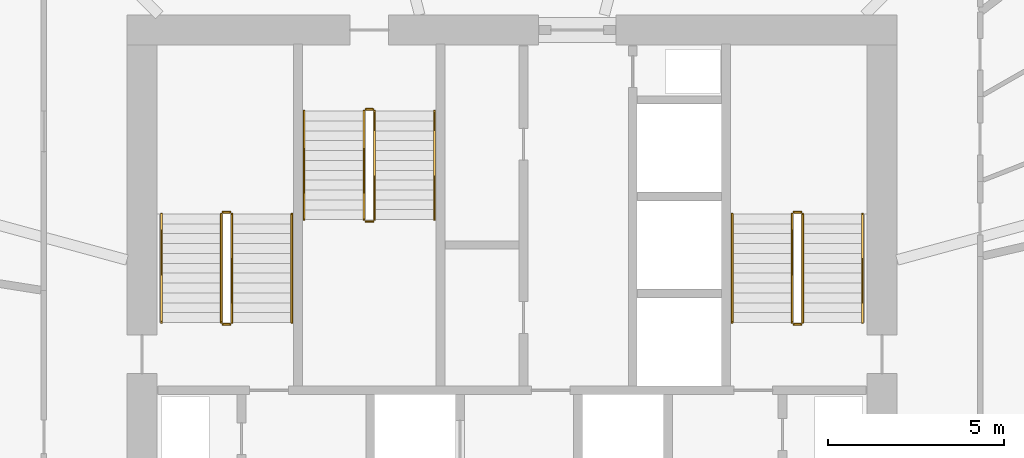
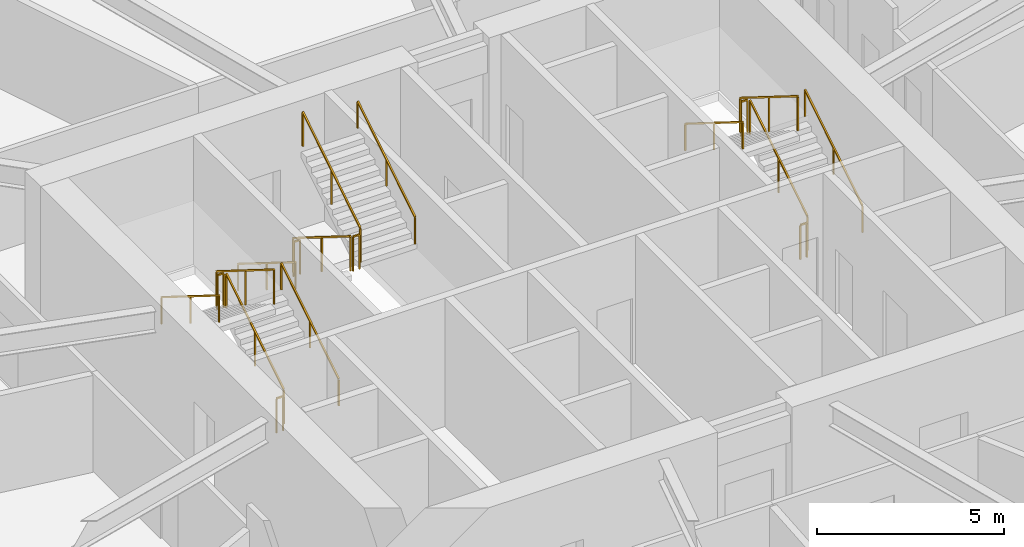
# One storey, part 28 of 28: 18 railings.
"""IFC4 building model written with IfcOpenShell, lengths in metres."""

from ifc_helpers import new_model, si_unit, direction, frame, origin, origin_2d, place, context, subcontext, project, spatial, rectangle, extrude, material, type_object, element, save


model = new_model("IFC4")

# Units and contexts
model_context = context("Model", 3, precision=1e-05, world=origin(), true_north=direction((0.0, 1.0)))
body_context = subcontext(model_context, "Body", "Model", "MODEL_VIEW")
ifc_project = project(units=[si_unit("LENGTHUNIT", "METRE"), si_unit("AREAUNIT", "SQUARE_METRE"), si_unit("VOLUMEUNIT", "CUBIC_METRE"), si_unit("PLANEANGLEUNIT", "RADIAN"), si_unit("MASSUNIT", "GRAM", prefix="KILO")], contexts=[model_context])

# Site, building, storey
site_placement = place(None, origin())
site = spatial("IfcSite", under=ifc_project, at=site_placement, CompositionType="ELEMENT")
building_placement = place(site_placement, origin())
building = spatial("IfcBuilding", under=site, at=building_placement, Name="Zuhravey Tower", CompositionType="ELEMENT")
storey_placement = place(building_placement, frame((0.0, 0.0, 49.800048828125)))
storey = spatial("IfcBuildingStorey", under=building, at=storey_placement, Name="L12", CompositionType="ELEMENT", Elevation=49.800048828125)

# Railings
ifc_material_1 = material(Name="Brushed stainless steel", Category="steel")
railing_type_1 = type_object("IfcRailingType", Name="Stair Wall Handrail 900", PredefinedType="HANDRAIL", material=ifc_material_1)
railing_1_placement = place(storey_placement, frame((29.75, 33.199951171875, 0.175048828125)))
element("IfcRailing", 1, at=railing_1_placement, inside=storey, type_object=railing_type_1, Name="L12 ST1 stair handrail 1", PredefinedType="HANDRAIL", context=body_context, shape_type="SweptSolid", body=[
    extrude(rectangle(XDim=0.048095703125, YDim=0.048095703125, at=origin_2d()), frame((0.0, 0.001708984375, 0.876953125), z_axis=(0.0, 0.848028513186, 0.529950602248), x_axis=(-1.0, 0.0, 0.0)), (0.0, 0.0, 1.0), 3.6279296875),
    extrude(rectangle(XDim=0.0419921875, YDim=0.0419921875, at=origin_2d()), origin(), (0.0, 0.0, 1.0), 0.849853515625),
    extrude(rectangle(XDim=0.0419921875, YDim=0.0419921875, at=origin_2d()), frame((0.0, 1.5400390625, 0.96240234375)), (0.0, 0.0, 1.0), 0.849853515625),
    extrude(rectangle(XDim=0.0419921875, YDim=0.0419921875, at=origin_2d()), frame((0.0, 3.080078125, 1.9248046875)), (0.0, 0.0, 1.0), 0.849853515625),
])
railing_2_placement = place(storey_placement, frame((26.050048828125, 36.280029296875, 2.27490234375)))
element("IfcRailing", 2, at=railing_2_placement, inside=storey, type_object=railing_type_1, Name="L12 ST1 stair handrail 2", PredefinedType="HANDRAIL", context=body_context, shape_type="SweptSolid", body=[
    extrude(rectangle(XDim=0.048095703125, YDim=0.048095703125, at=origin_2d()), frame((0.0, -0.001708984375, 0.876953125), z_axis=(0.0, -0.847998304005, 0.529998940003), x_axis=(1.0, 0.0, 0.0)), (0.0, 0.0, 1.0), 3.628173828125),
    extrude(rectangle(XDim=0.0419921875, YDim=0.0419921875, at=origin_2d()), origin(), (0.0, 0.0, 1.0), 0.849853515625),
    extrude(rectangle(XDim=0.0419921875, YDim=0.0419921875, at=origin_2d()), frame((0.0, -1.5400390625, 0.96240234375)), (0.0, 0.0, 1.0), 0.849853515625),
    extrude(rectangle(XDim=0.0419921875, YDim=0.0419921875, at=origin_2d()), frame((0.0, -3.080078125, 1.925048828125)), (0.0, 0.0, 1.0), 0.849853515625),
])
railing_3_placement = place(storey_placement, frame((45.949951171875, 33.199951171875, 0.175048828125)))
element("IfcRailing", 3, at=railing_3_placement, inside=storey, type_object=railing_type_1, Name="L12 ST2 stair handrail 1", PredefinedType="HANDRAIL", context=body_context, shape_type="SweptSolid", body=[
    extrude(rectangle(XDim=0.048095703125, YDim=0.048095703125, at=origin_2d()), frame((0.0, 0.001708984375, 0.876953125), z_axis=(0.0, 0.848028513186, 0.529950602248), x_axis=(-1.0, 0.0, 0.0)), (0.0, 0.0, 1.0), 3.6279296875),
    extrude(rectangle(XDim=0.0419921875, YDim=0.0419921875, at=origin_2d()), origin(), (0.0, 0.0, 1.0), 0.849853515625),
    extrude(rectangle(XDim=0.0419921875, YDim=0.0419921875, at=origin_2d()), frame((0.0, 1.5400390625, 0.96240234375)), (0.0, 0.0, 1.0), 0.849853515625),
    extrude(rectangle(XDim=0.0419921875, YDim=0.0419921875, at=origin_2d()), frame((0.0, 3.080078125, 1.9248046875)), (0.0, 0.0, 1.0), 0.849853515625),
])
railing_4_placement = place(storey_placement, frame((42.25, 36.280029296875, 2.27490234375)))
element("IfcRailing", 4, at=railing_4_placement, inside=storey, type_object=railing_type_1, Name="L12 ST2 stair handrail 2", PredefinedType="HANDRAIL", context=body_context, shape_type="SweptSolid", body=[
    extrude(rectangle(XDim=0.048095703125, YDim=0.048095703125, at=origin_2d()), frame((0.0, -0.001708984375, 0.876953125), z_axis=(0.0, -0.847998304005, 0.529998940003), x_axis=(1.0, 0.0, 0.0)), (0.0, 0.0, 1.0), 3.628173828125),
    extrude(rectangle(XDim=0.0419921875, YDim=0.0419921875, at=origin_2d()), origin(), (0.0, 0.0, 1.0), 0.849853515625),
    extrude(rectangle(XDim=0.0419921875, YDim=0.0419921875, at=origin_2d()), frame((0.0, -1.5400390625, 0.96240234375)), (0.0, 0.0, 1.0), 0.849853515625),
    extrude(rectangle(XDim=0.0419921875, YDim=0.0419921875, at=origin_2d()), frame((0.0, -3.080078125, 1.925048828125)), (0.0, 0.0, 1.0), 0.849853515625),
])
railing_5_placement = place(storey_placement, frame((30.10009765625, 39.199951171875, 0.175048828125)))
element("IfcRailing", 5, at=railing_5_placement, inside=storey, type_object=railing_type_1, Name="L12 ST3 stair handrail 1", PredefinedType="HANDRAIL", context=body_context, shape_type="SweptSolid", body=[
    extrude(rectangle(XDim=0.048095703125, YDim=0.048095703125, at=origin_2d()), frame((0.0, -0.001708984375, 0.876953125), z_axis=(0.0, -0.848009633417, 0.529980812513), x_axis=(1.0, 0.0, 0.0)), (0.0, 0.0, 1.0), 3.6279296875),
    extrude(rectangle(XDim=0.0419921875, YDim=0.0419921875, at=origin_2d()), origin(), (0.0, 0.0, 1.0), 0.849853515625),
    extrude(rectangle(XDim=0.0419921875, YDim=0.0419921875, at=origin_2d()), frame((0.0, -1.5400390625, 0.96240234375)), (0.0, 0.0, 1.0), 0.849853515625),
    extrude(rectangle(XDim=0.0419921875, YDim=0.0419921875, at=origin_2d()), frame((0.0, -3.079833984375, 1.9248046875)), (0.0, 0.0, 1.0), 0.849853515625),
])
railing_6_placement = place(storey_placement, frame((33.800048828125, 36.1201171875, 2.27490234375)))
element("IfcRailing", 6, at=railing_6_placement, inside=storey, type_object=railing_type_1, Name="L12 ST3 stair handrail 2", PredefinedType="HANDRAIL", context=body_context, shape_type="SweptSolid", body=[
    extrude(rectangle(XDim=0.048095703125, YDim=0.048095703125, at=origin_2d()), frame((0.0, 0.001708984375, 0.876953125), z_axis=(0.0, 0.847979421464, 0.530029150871), x_axis=(-1.0, 0.0, 0.0)), (0.0, 0.0, 1.0), 3.6279296875),
    extrude(rectangle(XDim=0.0419921875, YDim=0.0419921875, at=origin_2d()), origin(), (0.0, 0.0, 1.0), 0.849853515625),
    extrude(rectangle(XDim=0.0419921875, YDim=0.0419921875, at=origin_2d()), frame((0.0, 1.5400390625, 0.96240234375)), (0.0, 0.0, 1.0), 0.849853515625),
    extrude(rectangle(XDim=0.0419921875, YDim=0.0419921875, at=origin_2d()), frame((0.0, 3.079833984375, 1.925048828125)), (0.0, 0.0, 1.0), 0.849853515625),
])
ifc_material_2 = material(Name="Painted tubular steel", Category="steel")
railing_type_2 = type_object("IfcRailingType", Name="Stair Well Guardrail 1150", PredefinedType="GUARDRAIL", material=ifc_material_2)
railing_7_placement = place(storey_placement, frame((28.050048828125, 33.199951171875, 0.175048828125)))
element("IfcRailing", 7, at=railing_7_placement, inside=storey, type_object=railing_type_2, Name="L12 ST1 stair guard 1", PredefinedType="GUARDRAIL", context=body_context, shape_type="SweptSolid", body=[
    extrude(rectangle(XDim=0.048095703125, YDim=0.048095703125, at=origin_2d()), frame((0.0, 0.001708984375, 1.126953125), z_axis=(0.0, 0.848028513186, 0.529950602248), x_axis=(-1.0, 0.0, 0.0)), (0.0, 0.0, 1.0), 3.6279296875),
    extrude(rectangle(XDim=0.0419921875, YDim=0.0419921875, at=origin_2d()), origin(), (0.0, 0.0, 1.0), 1.099853515625),
    extrude(rectangle(XDim=0.0419921875, YDim=0.0419921875, at=origin_2d()), frame((0.0, 1.5400390625, 0.96240234375)), (0.0, 0.0, 1.0), 1.099853515625),
    extrude(rectangle(XDim=0.0419921875, YDim=0.0419921875, at=origin_2d()), frame((0.0, 3.080078125, 1.9248046875)), (0.0, 0.0, 1.0), 1.099853515625),
])
railing_8_placement = place(storey_placement, frame((28.0, 36.330078125, 2.099853515625)))
element("IfcRailing", 8, at=railing_8_placement, inside=storey, type_object=railing_type_2, Name="L12 ST1 stair guard 2", PredefinedType="GUARDRAIL", context=body_context, shape_type="SweptSolid", body=[
    extrude(rectangle(XDim=0.048095703125, YDim=0.048095703125, at=origin_2d()), frame((-0.001953125, 0.0, 1.1259765625), z_axis=(-1.0, 0.0, 0.0), x_axis=(0.0, -1.0, 0.0)), (0.0, 0.0, 1.0), 0.196044921875),
    extrude(rectangle(XDim=0.0419921875, YDim=0.0419921875, at=origin_2d()), origin(), (0.0, 0.0, 1.0), 1.099853515625),
    extrude(rectangle(XDim=0.0419921875, YDim=0.0419921875, at=origin_2d()), frame((-0.199951171875, 0.0, 0.0)), (0.0, 0.0, 1.0), 1.099853515625),
])
railing_9_placement = place(storey_placement, frame((27.75, 36.280029296875, 2.27490234375)))
element("IfcRailing", 9, at=railing_9_placement, inside=storey, type_object=railing_type_2, Name="L12 ST1 stair guard 3", PredefinedType="GUARDRAIL", context=body_context, shape_type="SweptSolid", body=[
    extrude(rectangle(XDim=0.048095703125, YDim=0.048095703125, at=origin_2d()), frame((0.0, -0.001708984375, 1.126953125), z_axis=(0.0, -0.847998304005, 0.529998940003), x_axis=(1.0, 0.0, 0.0)), (0.0, 0.0, 1.0), 3.628173828125),
    extrude(rectangle(XDim=0.0419921875, YDim=0.0419921875, at=origin_2d()), origin(), (0.0, 0.0, 1.0), 1.099853515625),
    extrude(rectangle(XDim=0.0419921875, YDim=0.0419921875, at=origin_2d()), frame((0.0, -1.5400390625, 0.96240234375)), (0.0, 0.0, 1.0), 1.099853515625),
    extrude(rectangle(XDim=0.0419921875, YDim=0.0419921875, at=origin_2d()), frame((0.0, -3.080078125, 1.925048828125)), (0.0, 0.0, 1.0), 1.099853515625),
])
railing_10_placement = place(storey_placement, frame((28.0, 33.14990234375, 0.0)))
element("IfcRailing", 10, at=railing_10_placement, inside=storey, type_object=railing_type_2, Name="L12 ST1 stair guard 4", PredefinedType="GUARDRAIL", context=body_context, shape_type="SweptSolid", body=[
    extrude(rectangle(XDim=0.048095703125, YDim=0.048095703125, at=origin_2d()), frame((-0.001953125, 0.0, 1.1259765625), z_axis=(-1.0, 0.0, 0.0), x_axis=(0.0, -1.0, 0.0)), (0.0, 0.0, 1.0), 0.196044921875),
    extrude(rectangle(XDim=0.0419921875, YDim=0.0419921875, at=origin_2d()), origin(), (0.0, 0.0, 1.0), 1.099853515625),
    extrude(rectangle(XDim=0.0419921875, YDim=0.0419921875, at=origin_2d()), frame((-0.199951171875, 0.0, 0.0)), (0.0, 0.0, 1.0), 1.099853515625),
])
railing_11_placement = place(storey_placement, frame((44.25, 33.199951171875, 0.175048828125)))
element("IfcRailing", 11, at=railing_11_placement, inside=storey, type_object=railing_type_2, Name="L12 ST2 stair guard 1", PredefinedType="GUARDRAIL", context=body_context, shape_type="SweptSolid", body=[
    extrude(rectangle(XDim=0.048095703125, YDim=0.048095703125, at=origin_2d()), frame((0.0, 0.001708984375, 1.126953125), z_axis=(0.0, 0.848028513186, 0.529950602248), x_axis=(-1.0, 0.0, 0.0)), (0.0, 0.0, 1.0), 3.6279296875),
    extrude(rectangle(XDim=0.0419921875, YDim=0.0419921875, at=origin_2d()), origin(), (0.0, 0.0, 1.0), 1.099853515625),
    extrude(rectangle(XDim=0.0419921875, YDim=0.0419921875, at=origin_2d()), frame((0.0, 1.5400390625, 0.96240234375)), (0.0, 0.0, 1.0), 1.099853515625),
    extrude(rectangle(XDim=0.0419921875, YDim=0.0419921875, at=origin_2d()), frame((0.0, 3.080078125, 1.9248046875)), (0.0, 0.0, 1.0), 1.099853515625),
])
railing_12_placement = place(storey_placement, frame((44.199951171875, 36.330078125, 2.099853515625)))
element("IfcRailing", 12, at=railing_12_placement, inside=storey, type_object=railing_type_2, Name="L12 ST2 stair guard 2", PredefinedType="GUARDRAIL", context=body_context, shape_type="SweptSolid", body=[
    extrude(rectangle(XDim=0.048095703125, YDim=0.048095703125, at=origin_2d()), frame((-0.001953125, 0.0, 1.1259765625), z_axis=(-1.0, 0.0, 0.0), x_axis=(0.0, -1.0, 0.0)), (0.0, 0.0, 1.0), 0.196044921875),
    extrude(rectangle(XDim=0.0419921875, YDim=0.0419921875, at=origin_2d()), origin(), (0.0, 0.0, 1.0), 1.099853515625),
    extrude(rectangle(XDim=0.0419921875, YDim=0.0419921875, at=origin_2d()), frame((-0.199951171875, 0.0, 0.0)), (0.0, 0.0, 1.0), 1.099853515625),
])
railing_13_placement = place(storey_placement, frame((43.949951171875, 36.280029296875, 2.27490234375)))
element("IfcRailing", 13, at=railing_13_placement, inside=storey, type_object=railing_type_2, Name="L12 ST2 stair guard 3", PredefinedType="GUARDRAIL", context=body_context, shape_type="SweptSolid", body=[
    extrude(rectangle(XDim=0.048095703125, YDim=0.048095703125, at=origin_2d()), frame((0.0, -0.001708984375, 1.126953125), z_axis=(0.0, -0.847998304005, 0.529998940003), x_axis=(1.0, 0.0, 0.0)), (0.0, 0.0, 1.0), 3.628173828125),
    extrude(rectangle(XDim=0.0419921875, YDim=0.0419921875, at=origin_2d()), origin(), (0.0, 0.0, 1.0), 1.099853515625),
    extrude(rectangle(XDim=0.0419921875, YDim=0.0419921875, at=origin_2d()), frame((0.0, -1.5400390625, 0.96240234375)), (0.0, 0.0, 1.0), 1.099853515625),
    extrude(rectangle(XDim=0.0419921875, YDim=0.0419921875, at=origin_2d()), frame((0.0, -3.080078125, 1.925048828125)), (0.0, 0.0, 1.0), 1.099853515625),
])
railing_14_placement = place(storey_placement, frame((44.199951171875, 33.14990234375, 0.0)))
element("IfcRailing", 14, at=railing_14_placement, inside=storey, type_object=railing_type_2, Name="L12 ST2 stair guard 4", PredefinedType="GUARDRAIL", context=body_context, shape_type="SweptSolid", body=[
    extrude(rectangle(XDim=0.048095703125, YDim=0.048095703125, at=origin_2d()), frame((-0.001953125, 0.0, 1.1259765625), z_axis=(-1.0, 0.0, 0.0), x_axis=(0.0, -1.0, 0.0)), (0.0, 0.0, 1.0), 0.196044921875),
    extrude(rectangle(XDim=0.0419921875, YDim=0.0419921875, at=origin_2d()), origin(), (0.0, 0.0, 1.0), 1.099853515625),
    extrude(rectangle(XDim=0.0419921875, YDim=0.0419921875, at=origin_2d()), frame((-0.199951171875, 0.0, 0.0)), (0.0, 0.0, 1.0), 1.099853515625),
])
railing_15_placement = place(storey_placement, frame((31.800048828125, 39.199951171875, 0.175048828125)))
element("IfcRailing", 15, at=railing_15_placement, inside=storey, type_object=railing_type_2, Name="L12 ST3 stair guard 1", PredefinedType="GUARDRAIL", context=body_context, shape_type="SweptSolid", body=[
    extrude(rectangle(XDim=0.048095703125, YDim=0.048095703125, at=origin_2d()), frame((0.0, -0.001708984375, 1.126953125), z_axis=(0.0, -0.848009633417, 0.529980812513), x_axis=(1.0, 0.0, 0.0)), (0.0, 0.0, 1.0), 3.6279296875),
    extrude(rectangle(XDim=0.0419921875, YDim=0.0419921875, at=origin_2d()), origin(), (0.0, 0.0, 1.0), 1.099853515625),
    extrude(rectangle(XDim=0.0419921875, YDim=0.0419921875, at=origin_2d()), frame((0.0, -1.5400390625, 0.96240234375)), (0.0, 0.0, 1.0), 1.099853515625),
    extrude(rectangle(XDim=0.0419921875, YDim=0.0419921875, at=origin_2d()), frame((0.0, -3.079833984375, 1.9248046875)), (0.0, 0.0, 1.0), 1.099853515625),
])
railing_16_placement = place(storey_placement, frame((31.85009765625, 36.070068359375, 2.099853515625)))
element("IfcRailing", 16, at=railing_16_placement, inside=storey, type_object=railing_type_2, Name="L12 ST3 stair guard 2", PredefinedType="GUARDRAIL", context=body_context, shape_type="SweptSolid", body=[
    extrude(rectangle(XDim=0.048095703125, YDim=0.048095703125, at=origin_2d()), frame((0.001953125, 0.0, 1.1259765625), z_axis=(1.0, 0.0, 0.0), x_axis=(0.0, 1.0, 0.0)), (0.0, 0.0, 1.0), 0.196044921875),
    extrude(rectangle(XDim=0.0419921875, YDim=0.0419921875, at=origin_2d()), origin(), (0.0, 0.0, 1.0), 1.099853515625),
    extrude(rectangle(XDim=0.0419921875, YDim=0.0419921875, at=origin_2d()), frame((0.199951171875, 0.0, 0.0)), (0.0, 0.0, 1.0), 1.099853515625),
])
railing_17_placement = place(storey_placement, frame((32.10009765625, 36.1201171875, 2.27490234375)))
element("IfcRailing", 17, at=railing_17_placement, inside=storey, type_object=railing_type_2, Name="L12 ST3 stair guard 3", PredefinedType="GUARDRAIL", context=body_context, shape_type="SweptSolid", body=[
    extrude(rectangle(XDim=0.048095703125, YDim=0.048095703125, at=origin_2d()), frame((0.0, 0.001708984375, 1.126953125), z_axis=(0.0, 0.847979421464, 0.530029150871), x_axis=(-1.0, 0.0, 0.0)), (0.0, 0.0, 1.0), 3.6279296875),
    extrude(rectangle(XDim=0.0419921875, YDim=0.0419921875, at=origin_2d()), origin(), (0.0, 0.0, 1.0), 1.099853515625),
    extrude(rectangle(XDim=0.0419921875, YDim=0.0419921875, at=origin_2d()), frame((0.0, 1.5400390625, 0.96240234375)), (0.0, 0.0, 1.0), 1.099853515625),
    extrude(rectangle(XDim=0.0419921875, YDim=0.0419921875, at=origin_2d()), frame((0.0, 3.079833984375, 1.925048828125)), (0.0, 0.0, 1.0), 1.099853515625),
])
railing_18_placement = place(storey_placement, frame((31.85009765625, 39.25, 0.0)))
element("IfcRailing", 18, at=railing_18_placement, inside=storey, type_object=railing_type_2, Name="L12 ST3 stair guard 4", PredefinedType="GUARDRAIL", context=body_context, shape_type="SweptSolid", body=[
    extrude(rectangle(XDim=0.048095703125, YDim=0.048095703125, at=origin_2d()), frame((0.001953125, 0.0, 1.1259765625), z_axis=(1.0, 0.0, 0.0), x_axis=(0.0, 1.0, 0.0)), (0.0, 0.0, 1.0), 0.196044921875),
    extrude(rectangle(XDim=0.0419921875, YDim=0.0419921875, at=origin_2d()), origin(), (0.0, 0.0, 1.0), 1.099853515625),
    extrude(rectangle(XDim=0.0419921875, YDim=0.0419921875, at=origin_2d()), frame((0.199951171875, 0.0, 0.0)), (0.0, 0.0, 1.0), 1.099853515625),
])

save(model, "model.ifc")
